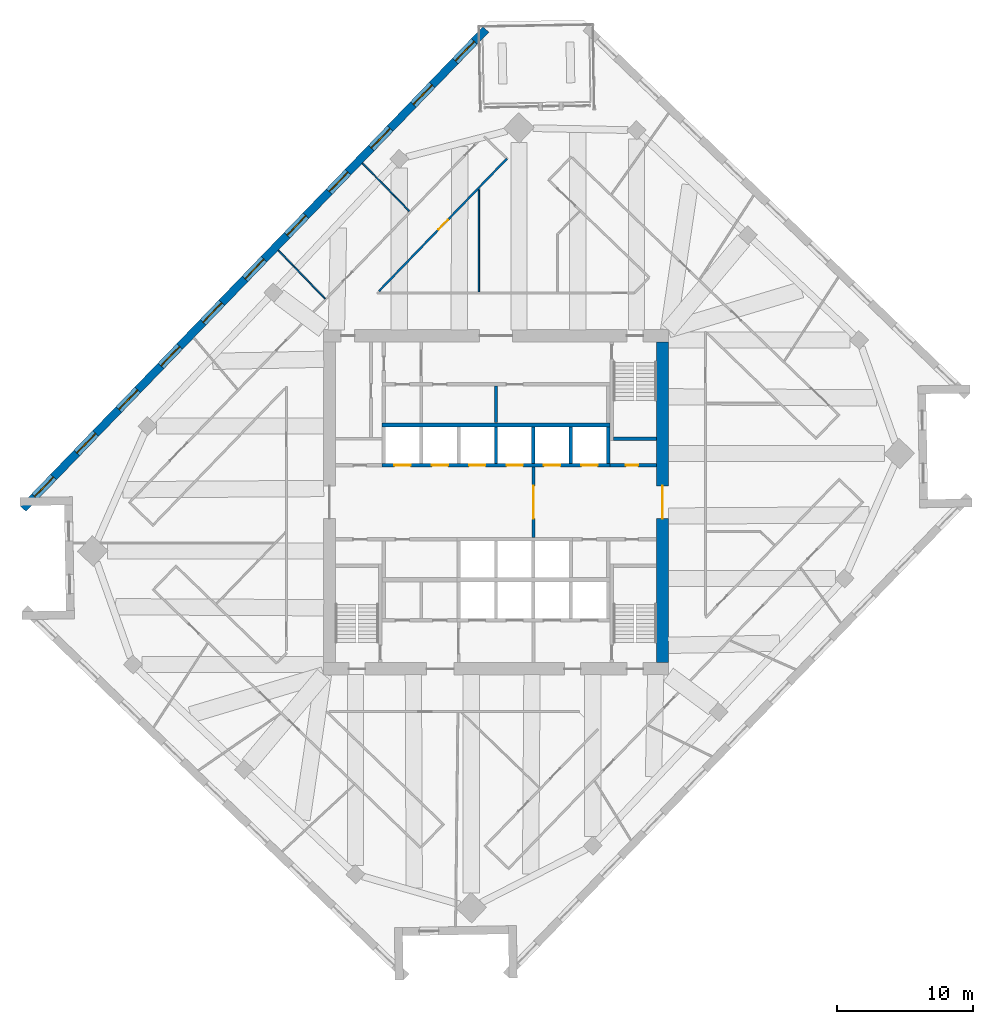
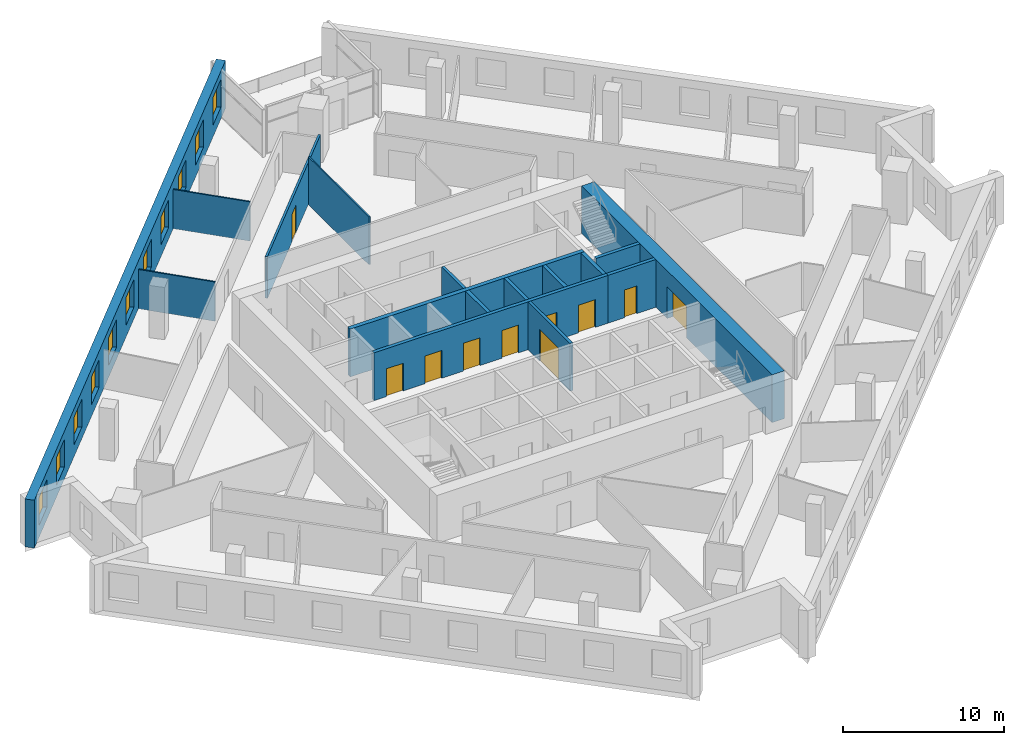
# One storey, part 9 of 13: 16 walls, 11 windows, 10 doors, 21 openings.
"""IFC4 building model written with IfcOpenShell, lengths in metres."""

from ifc_helpers import new_model, si_unit, direction, frame, frame_2d, origin, place, context, subcontext, project, spatial, rectangle, extrude, material, layer, layer_set, type_object, element, fill, save


model = new_model("IFC4")

# Units and contexts
model_context = context("Model", 3, precision=1e-05, world=origin(), true_north=direction((0.0, 1.0)))
body_context = subcontext(model_context, "Body", "Model", "MODEL_VIEW")
ifc_project = project(units=[si_unit("LENGTHUNIT", "METRE"), si_unit("AREAUNIT", "SQUARE_METRE"), si_unit("VOLUMEUNIT", "CUBIC_METRE"), si_unit("PLANEANGLEUNIT", "RADIAN"), si_unit("MASSUNIT", "GRAM", prefix="KILO")], contexts=[model_context])

# Site, building, storey
site_placement = place(None, origin())
site = spatial("IfcSite", under=ifc_project, at=site_placement, CompositionType="ELEMENT")
building_placement = place(site_placement, origin())
building = spatial("IfcBuilding", under=site, at=building_placement, Name="Dilmun Exchange Tower", CompositionType="ELEMENT")
storey_placement = place(building_placement, frame((0.0, 0.0, 205.300048828125)))
storey = spatial("IfcBuildingStorey", under=building, at=storey_placement, Name="L48", CompositionType="ELEMENT", Elevation=205.300048828125)

# Wall, opening, door
ifc_material_1 = material(Name="Concrete C40/50", Category="concrete")
ifc_layer_1 = layer(ifc_material_1, 0.199951171875)
ifc_layer_set_1 = layer_set([ifc_layer_1], Name="Concrete C40/50")
wall_type_1 = type_object("IfcWallType", Name="Core partition wall 200", PredefinedType="PARTITIONING", material=ifc_layer_set_1)
wall_1_placement = place(storey_placement, frame((2.75, -2.594970703125, 0.0), z_axis=(0.0, 0.0, 1.0), x_axis=(0.0, 1.0, 0.0)))
wall_1 = element("IfcWall", 1, at=wall_1_placement, inside=storey, type_object=wall_type_1, Name="L48 core partition wall 11", PredefinedType="PARTITIONING", context=body_context, shape_type="SweptSolid", body=[
    extrude(rectangle(XDim=5.18994140625, YDim=0.199951171875, at=frame_2d((2.594970703125, 0.0))), origin(), (0.0, 0.0, 1.0), 3.619873046875),
])
opening_1_placement = place(wall_1_placement, frame((1.39501953125, 0.0, 0.0)))
opening_1 = element("IfcOpeningElement", 2, at=opening_1_placement, cuts=wall_1, Name="Opening CD1", PredefinedType="OPENING", context=body_context, shape_type="SweptSolid", body=[
    extrude(rectangle(XDim=2.39990234375, YDim=2.39990234375, at=frame_2d((1.199951171875, 1.199951171875))), frame((0.0, 0.10986328125, 0.0), z_axis=(0.0, -1.0, 0.0), x_axis=(1.0, 0.0, 0.0)), (0.0, 0.0, 1.0), 0.219970703125),
])
ifc_material_2 = material(Name="Fire-rated steel door set", Category="steel")
door_type_1 = type_object("IfcDoorType", Name="Core lobby door 2400x2400", OperationType="DOUBLE_DOOR_DOUBLE_SWING", PredefinedType="DOOR", material=ifc_material_2)
door_1_placement = place(opening_1_placement, origin())
door_1 = element("IfcDoor", 3, at=door_1_placement, inside=storey, type_object=door_type_1, Name="L48 door Lift lobby east", OperationType="SINGLE_SWING_LEFT", OverallHeight=2.39990234375, OverallWidth=2.39990234375, PredefinedType="DOOR", context=body_context, shape_type="SweptSolid", body=[
    extrude(rectangle(XDim=2.39990234375, YDim=2.39990234375, at=frame_2d((1.199951171875, 1.199951171875))), frame((0.0, 0.02490234375, 0.0), z_axis=(0.0, -1.0, 0.0), x_axis=(1.0, 0.0, 0.0)), (0.0, 0.0, 1.0), 0.050048828125),
])
fill(opening_1, door_1)

# Wall
wall_2_placement = place(storey_placement, frame((0.0, 5.85498046875, 0.0), z_axis=(0.0, 0.0, 1.0), x_axis=(0.0, 1.0, 0.0)))
element("IfcWall", 4, at=wall_2_placement, inside=storey, type_object=wall_type_1, Name="L48 core partition wall 18", PredefinedType="PARTITIONING", context=body_context, shape_type="SweptSolid", body=[
    extrude(rectangle(XDim=2.68994140625, YDim=0.199951171875, at=frame_2d((1.344970703125, 0.0))), origin(), (0.0, 0.0, 1.0), 3.619873046875),
])

# Wall, opening, door
ifc_layer_2 = layer(ifc_material_1, 0.25)
ifc_layer_set_2 = layer_set([ifc_layer_2], Name="Concrete C40/50")
wall_type_2 = type_object("IfcWallType", Name="Core partition wall 250", PredefinedType="PARTITIONING", material=ifc_layer_set_2)
wall_3_placement = place(storey_placement, frame((8.3798828125, 2.72509765625, 0.0), z_axis=(0.0, 0.0, 1.0), x_axis=(1.0, 0.0, 0.0)))
wall_3 = element("IfcWall", 5, at=wall_3_placement, inside=storey, type_object=wall_type_2, Name="L48 core partition wall 13", PredefinedType="PARTITIONING", context=body_context, shape_type="SweptSolid", body=[
    extrude(rectangle(XDim=3.4150390625, YDim=0.25, at=frame_2d((1.70751953125, 0.0))), origin(), (0.0, 0.0, 1.0), 3.619873046875),
])
opening_2_placement = place(wall_3_placement, frame((1.169921875, 0.0, 0.0)))
opening_2 = element("IfcOpeningElement", 6, at=opening_2_placement, cuts=wall_3, Name="Opening CD6", PredefinedType="OPENING", context=body_context, shape_type="SweptSolid", body=[
    extrude(rectangle(XDim=0.89990234375, YDim=2.10009765625, at=frame_2d((0.449951171875, 1.050048828125))), frame((0.0, 0.135009765625, 0.0), z_axis=(0.0, -1.0, 0.0), x_axis=(1.0, 0.0, 0.0)), (0.0, 0.0, 1.0), 0.27001953125),
])
door_type_2 = type_object("IfcDoorType", Name="Core room door 900x2100", OperationType="SINGLE_SWING_LEFT", PredefinedType="DOOR", material=ifc_material_2)
door_2_placement = place(opening_2_placement, origin())
door_2 = element("IfcDoor", 7, at=door_2_placement, inside=storey, type_object=door_type_2, Name="L48 door Electrical riser", OperationType="SINGLE_SWING_LEFT", OverallHeight=2.10009765625, OverallWidth=0.89990234375, PredefinedType="DOOR", context=body_context, shape_type="SweptSolid", body=[
    extrude(rectangle(XDim=0.89990234375, YDim=2.10009765625, at=frame_2d((0.449951171875, 1.050048828125))), frame((0.0, 0.02490234375, 0.0), z_axis=(0.0, -1.0, 0.0), x_axis=(1.0, 0.0, 0.0)), (0.0, 0.0, 1.0), 0.050048828125),
])
fill(opening_2, door_2)

ifc_material_3 = material(Name="Concrete C60/75", Category="concrete")
ifc_layer_3 = layer(ifc_material_3, 0.89990234375)
ifc_layer_set_3 = layer_set([ifc_layer_3], Name="Concrete C60/75")
wall_type_3 = type_object("IfcWallType", Name="Core shear wall 900 Concrete C60/75", PredefinedType="SHEAR", material=ifc_layer_set_3)
wall_4_placement = place(storey_placement, frame((12.25, -11.800048828125, 0.0), z_axis=(0.0, 0.0, 1.0), x_axis=(0.0, 1.0, 0.0)))
wall_4 = element("IfcWall", 8, at=wall_4_placement, inside=storey, type_object=wall_type_3, Name="L48 core shear wall E", PredefinedType="SHEAR", context=body_context, shape_type="SweptSolid", body=[
    extrude(rectangle(XDim=23.60009765625, YDim=0.89990234375, at=frame_2d((11.800048828125, 0.0))), origin(), (0.0, 0.0, 1.0), 3.619873046875),
])
opening_3_placement = place(wall_4_placement, frame((10.60009765625, 0.0, 0.0)))
opening_3 = element("IfcOpeningElement", 9, at=opening_3_placement, cuts=wall_4, Name="Opening CD1", PredefinedType="OPENING", context=body_context, shape_type="SweptSolid", body=[
    extrude(rectangle(XDim=2.39990234375, YDim=2.39990234375, at=frame_2d((1.199951171875, 1.199951171875))), frame((0.0, 0.4599609375, 0.0), z_axis=(0.0, -1.0, 0.0), x_axis=(1.0, 0.0, 0.0)), (0.0, 0.0, 1.0), 0.919921875),
])
door_3_placement = place(opening_3_placement, origin())
door_3 = element("IfcDoor", 10, at=door_3_placement, inside=storey, type_object=door_type_1, Name="L48 door Central lift lobby", OperationType="SINGLE_SWING_LEFT", OverallHeight=2.39990234375, OverallWidth=2.39990234375, PredefinedType="DOOR", context=body_context, shape_type="SweptSolid", body=[
    extrude(rectangle(XDim=2.39990234375, YDim=2.39990234375, at=frame_2d((1.199951171875, 1.199951171875))), frame((0.0, 0.02490234375, 0.0), z_axis=(0.0, -1.0, 0.0), x_axis=(1.0, 0.0, 0.0)), (0.0, 0.0, 1.0), 0.050048828125),
])
fill(opening_3, door_3)

ifc_material_4 = material(Name="Corridor wall 150")
ifc_layer_4 = layer(ifc_material_4, 0.14990234375)
ifc_layer_set_4 = layer_set([ifc_layer_4], Name="Corridor wall 150")
wall_type_4 = type_object("IfcWallType", Name="Corridor wall 150", PredefinedType="PARTITIONING", material=ifc_layer_set_4)
wall_5_placement = place(storey_placement, frame((-8.6142578125, 15.527099609375, 0.0), z_axis=(0.0, 0.0, 1.0), x_axis=(0.694688688922, 0.719310520905, 0.0)))
wall_5 = element("IfcWall", 11, at=wall_5_placement, inside=storey, type_object=wall_type_4, Name="Corridor wall", PredefinedType="PARTITIONING", context=body_context, shape_type="SweptSolid", body=[
    extrude(rectangle(XDim=13.5546875, YDim=0.14990234375, at=frame_2d((6.77734375, 0.0))), origin(), (0.0, 0.0, 1.0), 3.169921875),
])
opening_4_placement = place(wall_5_placement, frame((6.300048828125, 0.0, 0.0)))
opening_4 = element("IfcOpeningElement", 12, at=opening_4_placement, cuts=wall_5, Name="Opening TF48-D10", PredefinedType="OPENING", context=body_context, shape_type="SweptSolid", body=[
    extrude(rectangle(XDim=1.0, YDim=2.10009765625, at=frame_2d((0.5, 1.050048828125))), frame((0.0, 0.0849609375, 0.0), z_axis=(0.0, -1.0, 0.0), x_axis=(1.0, 0.0, 0.0)), (0.0, 0.0, 1.0), 0.169921875),
])
ifc_material_5 = material(Name="Fire door 1000 x 2100")
door_type_3 = type_object("IfcDoorType", Name="Fire door 1000 x 2100", OperationType="NOTDEFINED", PredefinedType="DOOR", material=ifc_material_5)
door_4_placement = place(opening_4_placement, frame((1.0, 0.0, 0.0), z_axis=(0.0, 0.0, 1.0), x_axis=(-1.0, 0.0, 0.0)))
door_4 = element("IfcDoor", 13, at=door_4_placement, inside=storey, type_object=door_type_3, Name="Door TF48-D10", OperationType="SINGLE_SWING_RIGHT", OverallHeight=2.10009765625, OverallWidth=1.0, PredefinedType="DOOR", context=body_context, shape_type="SweptSolid", body=[
    extrude(rectangle(XDim=1.0, YDim=2.10009765625, at=frame_2d((0.5, 1.050048828125))), frame((0.0, 0.02490234375, 0.0), z_axis=(0.0, -1.0, 0.0), x_axis=(1.0, 0.0, 0.0)), (0.0, 0.0, 1.0), 0.050048828125),
])
fill(opening_4, door_4)

# Wall
ifc_layer_5 = layer(ifc_material_1, 0.300048828125)
ifc_layer_set_5 = layer_set([ifc_layer_5], Name="Concrete C40/50")
wall_type_5 = type_object("IfcWallType", Name="Lift shaft shared wall 300", PredefinedType="SOLIDWALL", material=ifc_layer_set_5)
wall_6_placement = place(storey_placement, frame((-8.375, 5.699951171875, 0.0), z_axis=(0.0, 0.0, 1.0), x_axis=(1.0, 0.0, 0.0)))
element("IfcWall", 14, at=wall_6_placement, inside=storey, type_object=wall_type_5, Name="L48 lift shaft rear wall N", PredefinedType="SOLIDWALL", context=body_context, shape_type="SweptSolid", body=[
    extrude(rectangle(XDim=16.75, YDim=0.300048828125, at=frame_2d((8.375, 0.0))), origin(), (0.0, 0.0, 1.0), 3.619873046875),
])

# Wall, openings, doors
ifc_layer_6 = layer(ifc_material_1, 0.25)
ifc_layer_set_6 = layer_set([ifc_layer_6], Name="Concrete C40/50")
wall_type_6 = type_object("IfcWallType", Name="Lift shaft wall 250", PredefinedType="SOLIDWALL", material=ifc_layer_set_6)
wall_7_placement = place(storey_placement, frame((-8.375, 2.72509765625, 0.0), z_axis=(0.0, 0.0, 1.0), x_axis=(1.0, 0.0, 0.0)))
wall_7 = element("IfcWall", 15, at=wall_7_placement, inside=storey, type_object=wall_type_6, Name="L48 lift shaft front wall N1", PredefinedType="SOLIDWALL", context=body_context, shape_type="SweptSolid", body=[
    extrude(rectangle(XDim=16.75, YDim=0.25, at=frame_2d((8.375, 0.0))), origin(), (0.0, 0.0, 1.0), 3.619873046875),
])
opening_5_placement = place(wall_7_placement, frame((0.89990234375, 0.0, 0.0)))
opening_5 = element("IfcOpeningElement", 16, at=opening_5_placement, cuts=wall_7, Name="Opening LD", PredefinedType="OPENING", context=body_context, shape_type="SweptSolid", body=[
    extrude(rectangle(XDim=1.199951171875, YDim=2.10009765625, at=frame_2d((0.60009765625, 1.050048828125))), frame((0.0, 0.135009765625, 0.0), z_axis=(0.0, -1.0, 0.0), x_axis=(1.0, 0.0, 0.0)), (0.0, 0.0, 1.0), 0.27001953125),
])
opening_6_placement = place(wall_7_placement, frame((3.64990234375, 0.0, 0.0)))
opening_6 = element("IfcOpeningElement", 17, at=opening_6_placement, cuts=wall_7, Name="Opening LD", PredefinedType="OPENING", context=body_context, shape_type="SweptSolid", body=[
    extrude(rectangle(XDim=1.199951171875, YDim=2.10009765625, at=frame_2d((0.60009765625, 1.050048828125))), frame((0.0, 0.135009765625, 0.0), z_axis=(0.0, -1.0, 0.0), x_axis=(1.0, 0.0, 0.0)), (0.0, 0.0, 1.0), 0.27001953125),
])
opening_7_placement = place(wall_7_placement, frame((6.39990234375, 0.0, 0.0)))
opening_7 = element("IfcOpeningElement", 18, at=opening_7_placement, cuts=wall_7, Name="Opening LD", PredefinedType="OPENING", context=body_context, shape_type="SweptSolid", body=[
    extrude(rectangle(XDim=1.199951171875, YDim=2.10009765625, at=frame_2d((0.60009765625, 1.050048828125))), frame((0.0, 0.135009765625, 0.0), z_axis=(0.0, -1.0, 0.0), x_axis=(1.0, 0.0, 0.0)), (0.0, 0.0, 1.0), 0.27001953125),
])
opening_8_placement = place(wall_7_placement, frame((9.14990234375, 0.0, 0.0)))
opening_8 = element("IfcOpeningElement", 19, at=opening_8_placement, cuts=wall_7, Name="Opening LD", PredefinedType="OPENING", context=body_context, shape_type="SweptSolid", body=[
    extrude(rectangle(XDim=1.199951171875, YDim=2.10009765625, at=frame_2d((0.60009765625, 1.050048828125))), frame((0.0, 0.135009765625, 0.0), z_axis=(0.0, -1.0, 0.0), x_axis=(1.0, 0.0, 0.0)), (0.0, 0.0, 1.0), 0.27001953125),
])
opening_9_placement = place(wall_7_placement, frame((11.89990234375, 0.0, 0.0)))
opening_9 = element("IfcOpeningElement", 20, at=opening_9_placement, cuts=wall_7, Name="Opening LD", PredefinedType="OPENING", context=body_context, shape_type="SweptSolid", body=[
    extrude(rectangle(XDim=1.199951171875, YDim=2.10009765625, at=frame_2d((0.60009765625, 1.050048828125))), frame((0.0, 0.135009765625, 0.0), z_axis=(0.0, -1.0, 0.0), x_axis=(1.0, 0.0, 0.0)), (0.0, 0.0, 1.0), 0.27001953125),
])
opening_10_placement = place(wall_7_placement, frame((14.64990234375, 0.0, 0.0)))
opening_10 = element("IfcOpeningElement", 21, at=opening_10_placement, cuts=wall_7, Name="Opening LD", PredefinedType="OPENING", context=body_context, shape_type="SweptSolid", body=[
    extrude(rectangle(XDim=1.199951171875, YDim=2.10009765625, at=frame_2d((0.60009765625, 1.050048828125))), frame((0.0, 0.135009765625, 0.0), z_axis=(0.0, -1.0, 0.0), x_axis=(1.0, 0.0, 0.0)), (0.0, 0.0, 1.0), 0.27001953125),
])
door_type_4 = type_object("IfcDoorType", Name="Lift landing door 1200x2100", OperationType="DOUBLE_DOOR_SLIDING", PredefinedType="DOOR", material=ifc_material_2)
door_5_placement = place(opening_5_placement, origin())
door_5 = element("IfcDoor", 22, at=door_5_placement, inside=storey, type_object=door_type_4, Name="L48 landing door MR1", OperationType="DOUBLE_DOOR_SLIDING", OverallHeight=2.10009765625, OverallWidth=1.199951171875, PredefinedType="DOOR", context=body_context, shape_type="SweptSolid", body=[
    extrude(rectangle(XDim=1.199951171875, YDim=2.10009765625, at=frame_2d((0.60009765625, 1.050048828125))), frame((0.0, 0.02490234375, 0.0), z_axis=(0.0, -1.0, 0.0), x_axis=(1.0, 0.0, 0.0)), (0.0, 0.0, 1.0), 0.050048828125),
])
fill(opening_5, door_5)
door_6_placement = place(opening_6_placement, origin())
door_6 = element("IfcDoor", 23, at=door_6_placement, inside=storey, type_object=door_type_4, Name="L48 landing door MR2", OperationType="DOUBLE_DOOR_SLIDING", OverallHeight=2.10009765625, OverallWidth=1.199951171875, PredefinedType="DOOR", context=body_context, shape_type="SweptSolid", body=[
    extrude(rectangle(XDim=1.199951171875, YDim=2.10009765625, at=frame_2d((0.60009765625, 1.050048828125))), frame((0.0, 0.02490234375, 0.0), z_axis=(0.0, -1.0, 0.0), x_axis=(1.0, 0.0, 0.0)), (0.0, 0.0, 1.0), 0.050048828125),
])
fill(opening_6, door_6)
door_7_placement = place(opening_7_placement, origin())
door_7 = element("IfcDoor", 24, at=door_7_placement, inside=storey, type_object=door_type_4, Name="L48 landing door MR3", OperationType="DOUBLE_DOOR_SLIDING", OverallHeight=2.10009765625, OverallWidth=1.199951171875, PredefinedType="DOOR", context=body_context, shape_type="SweptSolid", body=[
    extrude(rectangle(XDim=1.199951171875, YDim=2.10009765625, at=frame_2d((0.60009765625, 1.050048828125))), frame((0.0, 0.02490234375, 0.0), z_axis=(0.0, -1.0, 0.0), x_axis=(1.0, 0.0, 0.0)), (0.0, 0.0, 1.0), 0.050048828125),
])
fill(opening_7, door_7)
door_8_placement = place(opening_8_placement, origin())
door_8 = element("IfcDoor", 25, at=door_8_placement, inside=storey, type_object=door_type_4, Name="L48 landing door MR4", OperationType="DOUBLE_DOOR_SLIDING", OverallHeight=2.10009765625, OverallWidth=1.199951171875, PredefinedType="DOOR", context=body_context, shape_type="SweptSolid", body=[
    extrude(rectangle(XDim=1.199951171875, YDim=2.10009765625, at=frame_2d((0.60009765625, 1.050048828125))), frame((0.0, 0.02490234375, 0.0), z_axis=(0.0, -1.0, 0.0), x_axis=(1.0, 0.0, 0.0)), (0.0, 0.0, 1.0), 0.050048828125),
])
fill(opening_8, door_8)
door_9_placement = place(opening_9_placement, origin())
door_9 = element("IfcDoor", 26, at=door_9_placement, inside=storey, type_object=door_type_4, Name="L48 landing door MR5", OperationType="DOUBLE_DOOR_SLIDING", OverallHeight=2.10009765625, OverallWidth=1.199951171875, PredefinedType="DOOR", context=body_context, shape_type="SweptSolid", body=[
    extrude(rectangle(XDim=1.199951171875, YDim=2.10009765625, at=frame_2d((0.60009765625, 1.050048828125))), frame((0.0, 0.02490234375, 0.0), z_axis=(0.0, -1.0, 0.0), x_axis=(1.0, 0.0, 0.0)), (0.0, 0.0, 1.0), 0.050048828125),
])
fill(opening_9, door_9)
door_10_placement = place(opening_10_placement, origin())
door_10 = element("IfcDoor", 27, at=door_10_placement, inside=storey, type_object=door_type_4, Name="L48 landing door MR6", OperationType="DOUBLE_DOOR_SLIDING", OverallHeight=2.10009765625, OverallWidth=1.199951171875, PredefinedType="DOOR", context=body_context, shape_type="SweptSolid", body=[
    extrude(rectangle(XDim=1.199951171875, YDim=2.10009765625, at=frame_2d((0.60009765625, 1.050048828125))), frame((0.0, 0.02490234375, 0.0), z_axis=(0.0, -1.0, 0.0), x_axis=(1.0, 0.0, 0.0)), (0.0, 0.0, 1.0), 0.050048828125),
])
fill(opening_10, door_10)

# Walls
for number, where, z_axis, x_axis, name in (
    (28, (0.0, 2.85009765625, 0.0), (0.0, 0.0, 1.0), (0.0, 1.0, 0.0), "L48 lift shaft divider N13"),
    (29, (2.75, 2.85009765625, 0.0), (0.0, 0.0, 1.0), (0.0, 1.0, 0.0), "L48 lift shaft divider N14"),
    (30, (5.5, 2.85009765625, 0.0), (0.0, 0.0, 1.0), (0.0, 1.0, 0.0), "L48 lift shaft divider N15"),
    (31, (8.25, 2.85009765625, 0.0), (0.0, 0.0, 1.0), (0.0, 1.0, 0.0), "L48 lift shaft divider N16"),
):
    element("IfcWall", number, at=place(storey_placement, frame(where, z_axis=z_axis, x_axis=x_axis)), inside=storey, type_object=wall_type_6, Name=name, PredefinedType="SOLIDWALL", context=body_context, shape_type="SweptSolid", body=[
        extrude(rectangle(XDim=2.699951171875, YDim=0.25, at=frame_2d((1.35009765625, 0.0))), origin(), (0.0, 0.0, 1.0), 3.619873046875),
    ])
ifc_material_6 = material(Name="Partition 100")
ifc_layer_7 = layer(ifc_material_6, 0.10009765625)
ifc_layer_set_7 = layer_set([ifc_layer_7], Name="Partition 100")
wall_type_7 = type_object("IfcWallType", Name="Partition 100", PredefinedType="PARTITIONING", material=ifc_layer_set_7)
for number, where, z_axis, x_axis, name in (
    (32, (-16.016845703125, 18.536376953125, 0.0), (0.0, 0.0, 1.0), (0.695803180125, -0.718232507289, 0.0), "Partition"),
    (33, (-9.826416015625, 24.94677734375, 0.0), (0.0, 0.0, 1.0), (0.698133061081, -0.715968036316, 0.0), "Partition"),
):
    element("IfcWall", number, at=place(storey_placement, frame(where, z_axis=z_axis, x_axis=x_axis)), inside=storey, type_object=wall_type_7, Name=name, PredefinedType="PARTITIONING", context=body_context, shape_type="SweptSolid", body=[
        extrude(rectangle(XDim=4.941650390625, YDim=0.10009765625, at=frame_2d((2.470703125, 0.0))), origin(), (0.0, 0.0, 1.0), 2.969970703125),
    ])
wall_8_placement = place(storey_placement, frame((-1.260009765625, 15.47509765625, 0.0), z_axis=(0.0, 0.0, 1.0), x_axis=(0.0, 1.0, 0.0)))
element("IfcWall", 34, at=wall_8_placement, inside=storey, type_object=wall_type_7, Name="Partition", PredefinedType="PARTITIONING", context=body_context, shape_type="SweptSolid", body=[
    extrude(rectangle(XDim=7.50732421875, YDim=0.10009765625, at=frame_2d((3.753662109375, 0.0))), origin(), (0.0, 0.0, 1.0), 3.619873046875),
])

# Wall, openings, windows
ifc_material_7 = material(Name="Precast concrete C50/60", Category="concrete")
ifc_layer_8 = layer(ifc_material_7, 0.60009765625)
ifc_layer_set_8 = layer_set([ifc_layer_8], Name="Precast concrete C50/60")
wall_type_8 = type_object("IfcWallType", Name="Precast stone-clad wall 600", PredefinedType="STANDARD", material=ifc_layer_set_8)
wall_9_placement = place(storey_placement, frame((-0.74853515625, 34.781982421875, 0.0), z_axis=(0.0, 0.0, 1.0), x_axis=(-0.694657553534, -0.719340589233, 0.0)))
wall_9 = element("IfcWall", 35, at=wall_9_placement, inside=storey, type_object=wall_type_8, Name="Facade wall L48-03", PredefinedType="STANDARD", context=body_context, shape_type="SweptSolid", body=[
    extrude(rectangle(XDim=49.000244140625, YDim=0.60009765625, at=frame_2d((24.5, 0.0))), origin(), (0.0, 0.0, 1.0), 3.619873046875),
])
opening_11_placement = place(wall_9_placement, frame((1.227294921875, 0.0, 0.89990234375)))
opening_11 = element("IfcOpeningElement", 36, at=opening_11_placement, cuts=wall_9, Name="Opening W200-210", PredefinedType="OPENING", context=body_context, shape_type="SweptSolid", body=[
    extrude(rectangle(XDim=2.0, YDim=2.10009765625, at=frame_2d((1.0, 1.050048828125))), frame((0.0, 0.31005859375, 0.0), z_axis=(0.0, -1.0, 0.0), x_axis=(1.0, 0.0, 0.0)), (0.0, 0.0, 1.0), 0.6201171875),
])
opening_12_placement = place(wall_9_placement, frame((5.681884765625, 0.0, 0.89990234375)))
opening_12 = element("IfcOpeningElement", 37, at=opening_12_placement, cuts=wall_9, Name="Opening W200-210", PredefinedType="OPENING", context=body_context, shape_type="SweptSolid", body=[
    extrude(rectangle(XDim=2.0, YDim=2.10009765625, at=frame_2d((1.0, 1.050048828125))), frame((0.0, 0.31005859375, 0.0), z_axis=(0.0, -1.0, 0.0), x_axis=(1.0, 0.0, 0.0)), (0.0, 0.0, 1.0), 0.6201171875),
])
opening_13_placement = place(wall_9_placement, frame((10.136474609375, 0.0, 0.89990234375)))
opening_13 = element("IfcOpeningElement", 38, at=opening_13_placement, cuts=wall_9, Name="Opening W200-210", PredefinedType="OPENING", context=body_context, shape_type="SweptSolid", body=[
    extrude(rectangle(XDim=2.0, YDim=2.10009765625, at=frame_2d((1.0, 1.050048828125))), frame((0.0, 0.31005859375, 0.0), z_axis=(0.0, -1.0, 0.0), x_axis=(1.0, 0.0, 0.0)), (0.0, 0.0, 1.0), 0.6201171875),
])
opening_14_placement = place(wall_9_placement, frame((14.5908203125, 0.0, 0.89990234375)))
opening_14 = element("IfcOpeningElement", 39, at=opening_14_placement, cuts=wall_9, Name="Opening W200-210", PredefinedType="OPENING", context=body_context, shape_type="SweptSolid", body=[
    extrude(rectangle(XDim=2.0, YDim=2.10009765625, at=frame_2d((1.0, 1.050048828125))), frame((0.0, 0.31005859375, 0.0), z_axis=(0.0, -1.0, 0.0), x_axis=(1.0, 0.0, 0.0)), (0.0, 0.0, 1.0), 0.6201171875),
])
opening_15_placement = place(wall_9_placement, frame((19.04541015625, 0.0, 0.89990234375)))
opening_15 = element("IfcOpeningElement", 40, at=opening_15_placement, cuts=wall_9, Name="Opening W200-210", PredefinedType="OPENING", context=body_context, shape_type="SweptSolid", body=[
    extrude(rectangle(XDim=2.0, YDim=2.10009765625, at=frame_2d((1.0, 1.050048828125))), frame((0.0, 0.31005859375, 0.0), z_axis=(0.0, -1.0, 0.0), x_axis=(1.0, 0.0, 0.0)), (0.0, 0.0, 1.0), 0.6201171875),
])
opening_16_placement = place(wall_9_placement, frame((23.5, 0.0, 0.89990234375)))
opening_16 = element("IfcOpeningElement", 41, at=opening_16_placement, cuts=wall_9, Name="Opening W200-210", PredefinedType="OPENING", context=body_context, shape_type="SweptSolid", body=[
    extrude(rectangle(XDim=2.0, YDim=2.10009765625, at=frame_2d((1.0, 1.050048828125))), frame((0.0, 0.31005859375, 0.0), z_axis=(0.0, -1.0, 0.0), x_axis=(1.0, 0.0, 0.0)), (0.0, 0.0, 1.0), 0.6201171875),
])
opening_17_placement = place(wall_9_placement, frame((27.95458984375, 0.0, 0.89990234375)))
opening_17 = element("IfcOpeningElement", 42, at=opening_17_placement, cuts=wall_9, Name="Opening W200-210", PredefinedType="OPENING", context=body_context, shape_type="SweptSolid", body=[
    extrude(rectangle(XDim=2.0, YDim=2.10009765625, at=frame_2d((1.0, 1.050048828125))), frame((0.0, 0.31005859375, 0.0), z_axis=(0.0, -1.0, 0.0), x_axis=(1.0, 0.0, 0.0)), (0.0, 0.0, 1.0), 0.6201171875),
])
opening_18_placement = place(wall_9_placement, frame((32.4091796875, 0.0, 0.89990234375)))
opening_18 = element("IfcOpeningElement", 43, at=opening_18_placement, cuts=wall_9, Name="Opening W200-210", PredefinedType="OPENING", context=body_context, shape_type="SweptSolid", body=[
    extrude(rectangle(XDim=2.0, YDim=2.10009765625, at=frame_2d((1.0, 1.050048828125))), frame((0.0, 0.31005859375, 0.0), z_axis=(0.0, -1.0, 0.0), x_axis=(1.0, 0.0, 0.0)), (0.0, 0.0, 1.0), 0.6201171875),
])
opening_19_placement = place(wall_9_placement, frame((36.863525390625, 0.0, 0.89990234375)))
opening_19 = element("IfcOpeningElement", 44, at=opening_19_placement, cuts=wall_9, Name="Opening W200-210", PredefinedType="OPENING", context=body_context, shape_type="SweptSolid", body=[
    extrude(rectangle(XDim=2.0, YDim=2.10009765625, at=frame_2d((1.0, 1.050048828125))), frame((0.0, 0.31005859375, 0.0), z_axis=(0.0, -1.0, 0.0), x_axis=(1.0, 0.0, 0.0)), (0.0, 0.0, 1.0), 0.6201171875),
])
opening_20_placement = place(wall_9_placement, frame((41.318115234375, 0.0, 0.89990234375)))
opening_20 = element("IfcOpeningElement", 45, at=opening_20_placement, cuts=wall_9, Name="Opening W200-210", PredefinedType="OPENING", context=body_context, shape_type="SweptSolid", body=[
    extrude(rectangle(XDim=2.0, YDim=2.10009765625, at=frame_2d((1.0, 1.050048828125))), frame((0.0, 0.31005859375, 0.0), z_axis=(0.0, -1.0, 0.0), x_axis=(1.0, 0.0, 0.0)), (0.0, 0.0, 1.0), 0.6201171875),
])
opening_21_placement = place(wall_9_placement, frame((45.772705078125, 0.0, 0.89990234375)))
opening_21 = element("IfcOpeningElement", 46, at=opening_21_placement, cuts=wall_9, Name="Opening W200-210", PredefinedType="OPENING", context=body_context, shape_type="SweptSolid", body=[
    extrude(rectangle(XDim=2.0, YDim=2.10009765625, at=frame_2d((1.0, 1.050048828125))), frame((0.0, 0.31005859375, 0.0), z_axis=(0.0, -1.0, 0.0), x_axis=(1.0, 0.0, 0.0)), (0.0, 0.0, 1.0), 0.6201171875),
])
ifc_material_8 = material(Name="Clear low-emissivity glass in aluminium frame", Category="aluminium")
window_type = type_object("IfcWindowType", Name="Punched window 2000 x 2100", PartitioningType="DOUBLE_PANEL_VERTICAL", PredefinedType="WINDOW", material=ifc_material_8)
window_1_placement = place(opening_11_placement, origin())
window_1 = element("IfcWindow", 47, at=window_1_placement, inside=storey, type_object=window_type, Name="Window 4.1", OverallHeight=2.10009765625, OverallWidth=2.0, PartitioningType="SINGLE_PANEL", PredefinedType="WINDOW", context=body_context, shape_type="SweptSolid", body=[
    extrude(rectangle(XDim=2.0, YDim=2.10009765625, at=frame_2d((1.0, 1.050048828125))), frame((0.0, 0.030029296875, 0.0), z_axis=(0.0, -1.0, 0.0), x_axis=(1.0, 0.0, 0.0)), (0.0, 0.0, 1.0), 0.06005859375),
])
fill(opening_11, window_1)
window_2_placement = place(opening_12_placement, origin())
window_2 = element("IfcWindow", 48, at=window_2_placement, inside=storey, type_object=window_type, Name="Window 4.2", OverallHeight=2.10009765625, OverallWidth=2.0, PartitioningType="SINGLE_PANEL", PredefinedType="WINDOW", context=body_context, shape_type="SweptSolid", body=[
    extrude(rectangle(XDim=2.0, YDim=2.10009765625, at=frame_2d((1.0, 1.050048828125))), frame((0.0, 0.030029296875, 0.0), z_axis=(0.0, -1.0, 0.0), x_axis=(1.0, 0.0, 0.0)), (0.0, 0.0, 1.0), 0.06005859375),
])
fill(opening_12, window_2)
window_3_placement = place(opening_13_placement, origin())
window_3 = element("IfcWindow", 49, at=window_3_placement, inside=storey, type_object=window_type, Name="Window 4.3", OverallHeight=2.10009765625, OverallWidth=2.0, PartitioningType="SINGLE_PANEL", PredefinedType="WINDOW", context=body_context, shape_type="SweptSolid", body=[
    extrude(rectangle(XDim=2.0, YDim=2.10009765625, at=frame_2d((1.0, 1.050048828125))), frame((0.0, 0.030029296875, 0.0), z_axis=(0.0, -1.0, 0.0), x_axis=(1.0, 0.0, 0.0)), (0.0, 0.0, 1.0), 0.06005859375),
])
fill(opening_13, window_3)
window_4_placement = place(opening_14_placement, origin())
window_4 = element("IfcWindow", 50, at=window_4_placement, inside=storey, type_object=window_type, Name="Window 4.4", OverallHeight=2.10009765625, OverallWidth=2.0, PartitioningType="SINGLE_PANEL", PredefinedType="WINDOW", context=body_context, shape_type="SweptSolid", body=[
    extrude(rectangle(XDim=2.0, YDim=2.10009765625, at=frame_2d((1.0, 1.050048828125))), frame((0.0, 0.030029296875, 0.0), z_axis=(0.0, -1.0, 0.0), x_axis=(1.0, 0.0, 0.0)), (0.0, 0.0, 1.0), 0.06005859375),
])
fill(opening_14, window_4)
window_5_placement = place(opening_15_placement, origin())
window_5 = element("IfcWindow", 51, at=window_5_placement, inside=storey, type_object=window_type, Name="Window 4.5", OverallHeight=2.10009765625, OverallWidth=2.0, PartitioningType="SINGLE_PANEL", PredefinedType="WINDOW", context=body_context, shape_type="SweptSolid", body=[
    extrude(rectangle(XDim=2.0, YDim=2.10009765625, at=frame_2d((1.0, 1.050048828125))), frame((0.0, 0.030029296875, 0.0), z_axis=(0.0, -1.0, 0.0), x_axis=(1.0, 0.0, 0.0)), (0.0, 0.0, 1.0), 0.06005859375),
])
fill(opening_15, window_5)
window_6_placement = place(opening_16_placement, origin())
window_6 = element("IfcWindow", 52, at=window_6_placement, inside=storey, type_object=window_type, Name="Window 4.6", OverallHeight=2.10009765625, OverallWidth=2.0, PartitioningType="SINGLE_PANEL", PredefinedType="WINDOW", context=body_context, shape_type="SweptSolid", body=[
    extrude(rectangle(XDim=2.0, YDim=2.10009765625, at=frame_2d((1.0, 1.050048828125))), frame((0.0, 0.030029296875, 0.0), z_axis=(0.0, -1.0, 0.0), x_axis=(1.0, 0.0, 0.0)), (0.0, 0.0, 1.0), 0.06005859375),
])
fill(opening_16, window_6)
window_7_placement = place(opening_17_placement, origin())
window_7 = element("IfcWindow", 53, at=window_7_placement, inside=storey, type_object=window_type, Name="Window 4.7", OverallHeight=2.10009765625, OverallWidth=2.0, PartitioningType="SINGLE_PANEL", PredefinedType="WINDOW", context=body_context, shape_type="SweptSolid", body=[
    extrude(rectangle(XDim=2.0, YDim=2.10009765625, at=frame_2d((1.0, 1.050048828125))), frame((0.0, 0.030029296875, 0.0), z_axis=(0.0, -1.0, 0.0), x_axis=(1.0, 0.0, 0.0)), (0.0, 0.0, 1.0), 0.06005859375),
])
fill(opening_17, window_7)
window_8_placement = place(opening_18_placement, origin())
window_8 = element("IfcWindow", 54, at=window_8_placement, inside=storey, type_object=window_type, Name="Window 4.8", OverallHeight=2.10009765625, OverallWidth=2.0, PartitioningType="SINGLE_PANEL", PredefinedType="WINDOW", context=body_context, shape_type="SweptSolid", body=[
    extrude(rectangle(XDim=2.0, YDim=2.10009765625, at=frame_2d((1.0, 1.050048828125))), frame((0.0, 0.030029296875, 0.0), z_axis=(0.0, -1.0, 0.0), x_axis=(1.0, 0.0, 0.0)), (0.0, 0.0, 1.0), 0.06005859375),
])
fill(opening_18, window_8)
window_9_placement = place(opening_19_placement, origin())
window_9 = element("IfcWindow", 55, at=window_9_placement, inside=storey, type_object=window_type, Name="Window 4.9", OverallHeight=2.10009765625, OverallWidth=2.0, PartitioningType="SINGLE_PANEL", PredefinedType="WINDOW", context=body_context, shape_type="SweptSolid", body=[
    extrude(rectangle(XDim=2.0, YDim=2.10009765625, at=frame_2d((1.0, 1.050048828125))), frame((0.0, 0.030029296875, 0.0), z_axis=(0.0, -1.0, 0.0), x_axis=(1.0, 0.0, 0.0)), (0.0, 0.0, 1.0), 0.06005859375),
])
fill(opening_19, window_9)
window_10_placement = place(opening_20_placement, origin())
window_10 = element("IfcWindow", 56, at=window_10_placement, inside=storey, type_object=window_type, Name="Window 4.10", OverallHeight=2.10009765625, OverallWidth=2.0, PartitioningType="SINGLE_PANEL", PredefinedType="WINDOW", context=body_context, shape_type="SweptSolid", body=[
    extrude(rectangle(XDim=2.0, YDim=2.10009765625, at=frame_2d((1.0, 1.050048828125))), frame((0.0, 0.030029296875, 0.0), z_axis=(0.0, -1.0, 0.0), x_axis=(1.0, 0.0, 0.0)), (0.0, 0.0, 1.0), 0.06005859375),
])
fill(opening_20, window_10)
window_11_placement = place(opening_21_placement, origin())
window_11 = element("IfcWindow", 57, at=window_11_placement, inside=storey, type_object=window_type, Name="Window 4.11", OverallHeight=2.10009765625, OverallWidth=2.0, PartitioningType="SINGLE_PANEL", PredefinedType="WINDOW", context=body_context, shape_type="SweptSolid", body=[
    extrude(rectangle(XDim=2.0, YDim=2.10009765625, at=frame_2d((1.0, 1.050048828125))), frame((0.0, 0.030029296875, 0.0), z_axis=(0.0, -1.0, 0.0), x_axis=(1.0, 0.0, 0.0)), (0.0, 0.0, 1.0), 0.06005859375),
])
fill(opening_21, window_11)

# Wall
ifc_layer_9 = layer(ifc_material_1, 0.25)
ifc_layer_set_9 = layer_set([ifc_layer_9], Name="Concrete C40/50")
wall_type_9 = type_object("IfcWallType", Name="Stair end wall 250", PredefinedType="SOLIDWALL", material=ifc_layer_set_9)
wall_10_placement = place(storey_placement, frame((8.64990234375, 4.675048828125, 0.0), z_axis=(0.0, 0.0, 1.0), x_axis=(1.0, 0.0, 0.0)))
element("IfcWall", 58, at=wall_10_placement, inside=storey, type_object=wall_type_9, Name="L48 ST1 far wall", PredefinedType="SOLIDWALL", context=body_context, shape_type="SweptSolid", body=[
    extrude(rectangle(XDim=3.150146484375, YDim=0.25, at=frame_2d((1.5751953125, 0.0))), origin(), (0.0, 0.0, 1.0), 3.619873046875),
])

save(model, "model.ifc")
